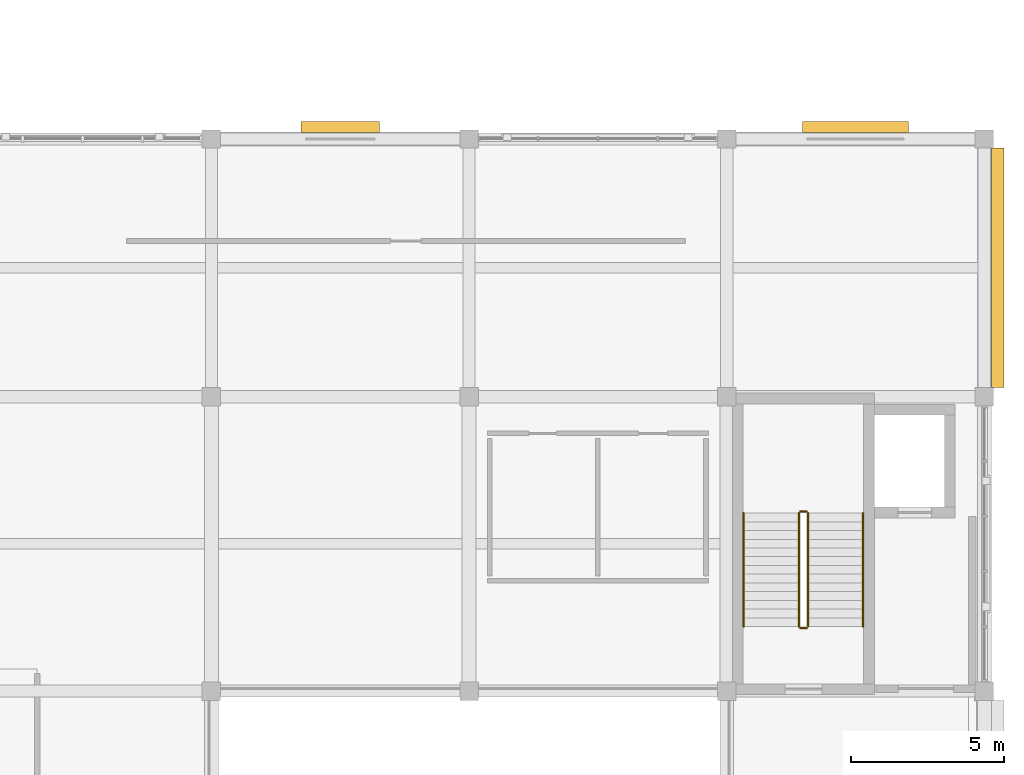
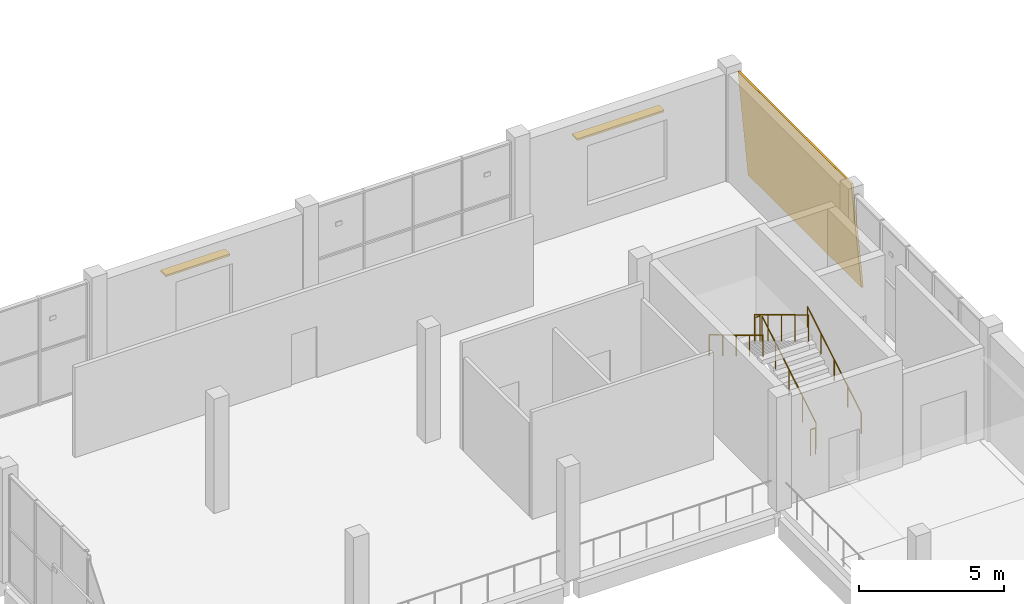
# One storey, part 37 of 37: 6 railings, 2 shading devices, 1 covering.
"""IFC4 building model written with IfcOpenShell, lengths in metres."""

from ifc_helpers import new_model, si_unit, direction, frame, origin, origin_2d, place, context, subcontext, project, spatial, polyline, rectangle, circle, outline, extrude, material, layer, layer_set, type_object, element, save


model = new_model("IFC4")

# Units and contexts
model_context = context("Model", 3, precision=1e-05, world=origin(), true_north=direction((0.0, 1.0)))
body_context = subcontext(model_context, "Body", "Model", "MODEL_VIEW")
ifc_project = project(units=[si_unit("LENGTHUNIT", "METRE"), si_unit("AREAUNIT", "SQUARE_METRE"), si_unit("VOLUMEUNIT", "CUBIC_METRE"), si_unit("PLANEANGLEUNIT", "RADIAN"), si_unit("MASSUNIT", "GRAM", prefix="KILO")], contexts=[model_context])

# Site, building, storey
site_placement = place(None, origin())
site = spatial("IfcSite", under=ifc_project, at=site_placement, CompositionType="ELEMENT")
building_placement = place(site_placement, origin())
building = spatial("IfcBuilding", under=site, at=building_placement, Name="Shalvenor Court Art Gallery", CompositionType="ELEMENT")
storey_placement = place(building_placement, frame((0.0, 0.0, 22.199951171875)))
storey = spatial("IfcBuildingStorey", under=building, at=storey_placement, Name="L04", CompositionType="ELEMENT", Elevation=22.199951171875)

# Covering
ifc_material_1 = material(Name="Pale Mediterranean limestone cladding", Category="masonry")
ifc_layer = layer(ifc_material_1, 0.080078125, Name="Pale Mediterranean limestone cladding")
ifc_layer_set = layer_set([ifc_layer], Name="Pale Mediterranean limestone cladding")
covering_type = type_object("IfcCoveringType", Name="CLD-01", PredefinedType="CLADDING", material=ifc_layer_set)
covering_placement = place(storey_placement, frame((177.03955078125, 89.10009765625, 0.0), z_axis=(0.0, 0.0, 1.0), x_axis=(0.0, 1.0, 0.0)))
element("IfcCovering", 1, at=covering_placement, inside=storey, type_object=covering_type, Name="L04 V1 Tapered Limestone Cladding 21", PredefinedType="CLADDING", context=body_context, shape_type="SweptSolid", body=[
    extrude(outline(polyline([(0.0, 0.0), (7.7998046875, 0.0), (7.7998046875, 4.5185546875), (0.0, 4.5185546875), (0.0, 0.0)])), frame((0.0, 0.0, 0.0), z_axis=(0.0, -0.995884398616, 0.090632580198), x_axis=(1.0, 0.0, 0.0)), (0.0, 0.090632580198, -0.995884398616), 0.080322265625),
])

# Railings
ifc_material_2 = material(Name="Painted steel post-and-rail guard", Category="steel")
railing_type_1 = type_object("IfcRailingType", Name="GR-02", PredefinedType="GUARDRAIL", material=ifc_material_2)
railing_1_placement = place(storey_placement, frame((170.64990234375, 81.300048828125, 0.17138671875)))
element("IfcRailing", 2, at=railing_1_placement, inside=storey, type_object=railing_type_1, Name="L04 ST-01 Stair Guard 1", PredefinedType="GUARDRAIL", context=body_context, shape_type="SweptSolid", body=[
    extrude(circle(Radius=0.02392578125, at=origin_2d()), frame((0.0, 0.0, 1.09619140625), z_axis=(0.0, 0.856894455432, 0.515491893485), x_axis=(-1.0, 0.0, 0.0)), (0.0, 0.0, 1.0), 4.323486328125),
    extrude(circle(Radius=0.02099609375, at=origin_2d()), origin(), (0.0, 0.0, 1.0), 1.072021484375),
    extrude(circle(Radius=0.02099609375, at=origin_2d()), frame((0.0, 0.92626953125, 0.55712890625)), (0.0, 0.0, 1.0), 1.072021484375),
    extrude(circle(Radius=0.02099609375, at=origin_2d()), frame((0.0, 1.8525390625, 1.1142578125)), (0.0, 0.0, 1.0), 1.072021484375),
    extrude(circle(Radius=0.02099609375, at=origin_2d()), frame((0.0, 2.778564453125, 1.671630859375)), (0.0, 0.0, 1.0), 1.072021484375),
    extrude(circle(Radius=0.02099609375, at=origin_2d()), frame((0.0, 3.704833984375, 2.228759765625)), (0.0, 0.0, 1.0), 1.072021484375),
])
railing_2_placement = place(storey_placement, frame((170.60009765625, 85.054931640625, 2.400146484375)))
element("IfcRailing", 3, at=railing_2_placement, inside=storey, type_object=railing_type_1, Name="L04 ST-01 Stair Guard 2", PredefinedType="GUARDRAIL", context=body_context, shape_type="SweptSolid", body=[
    extrude(circle(Radius=0.02392578125, at=origin_2d()), frame((0.0, 0.0, 1.09619140625), z_axis=(-1.0, 0.0, 0.0), x_axis=(0.0, -1.0, 0.0)), (0.0, 0.0, 1.0), 0.2001953125),
    extrude(circle(Radius=0.02099609375, at=origin_2d()), origin(), (0.0, 0.0, 1.0), 1.072021484375),
    extrude(circle(Radius=0.02099609375, at=origin_2d()), frame((-0.2001953125, 0.0, 0.0)), (0.0, 0.0, 1.0), 1.072021484375),
])
railing_3_placement = place(storey_placement, frame((170.35009765625, 85.0048828125, 2.571533203125)))
element("IfcRailing", 4, at=railing_3_placement, inside=storey, type_object=railing_type_1, Name="L04 ST-01 Stair Guard 3", PredefinedType="GUARDRAIL", context=body_context, shape_type="SweptSolid", body=[
    extrude(circle(Radius=0.02392578125, at=origin_2d()), frame((0.0, 0.0, 1.09619140625), z_axis=(0.0, -0.856919398105, 0.515450429384), x_axis=(1.0, 0.0, 0.0)), (0.0, 0.0, 1.0), 4.323486328125),
    extrude(circle(Radius=0.02099609375, at=origin_2d()), origin(), (0.0, 0.0, 1.0), 1.072021484375),
    extrude(circle(Radius=0.02099609375, at=origin_2d()), frame((0.0, -0.92626953125, 0.55712890625)), (0.0, 0.0, 1.0), 1.072021484375),
    extrude(circle(Radius=0.02099609375, at=origin_2d()), frame((0.0, -1.8525390625, 1.1142578125)), (0.0, 0.0, 1.0), 1.072021484375),
    extrude(circle(Radius=0.02099609375, at=origin_2d()), frame((0.0, -2.778564453125, 1.67138671875)), (0.0, 0.0, 1.0), 1.072021484375),
    extrude(circle(Radius=0.02099609375, at=origin_2d()), frame((0.0, -3.704833984375, 2.228515625)), (0.0, 0.0, 1.0), 1.072021484375),
])
railing_4_placement = place(storey_placement, frame((170.60009765625, 81.25, 0.0)))
element("IfcRailing", 5, at=railing_4_placement, inside=storey, type_object=railing_type_1, Name="L04 ST-01 Stair Guard 4", PredefinedType="GUARDRAIL", context=body_context, shape_type="SweptSolid", body=[
    extrude(circle(Radius=0.02392578125, at=origin_2d()), frame((0.0, 0.0, 1.09619140625), z_axis=(-1.0, 0.0, 0.0), x_axis=(0.0, -1.0, 0.0)), (0.0, 0.0, 1.0), 0.2001953125),
    extrude(circle(Radius=0.02099609375, at=origin_2d()), origin(), (0.0, 0.0, 1.0), 1.072021484375),
    extrude(circle(Radius=0.02099609375, at=origin_2d()), frame((-0.2001953125, 0.0, 0.0)), (0.0, 0.0, 1.0), 1.072021484375),
])
ifc_material_3 = material(Name="Brushed stainless steel handrail", Category="steel")
railing_type_2 = type_object("IfcRailingType", Name="HR-01", PredefinedType="HANDRAIL", material=ifc_material_3)
railing_5_placement = place(storey_placement, frame((172.449951171875, 81.300048828125, 0.17138671875)))
element("IfcRailing", 6, at=railing_5_placement, inside=storey, type_object=railing_type_2, Name="L04 ST-01 Stair Handrail 1", PredefinedType="HANDRAIL", context=body_context, shape_type="SweptSolid", body=[
    extrude(circle(Radius=0.02392578125, at=origin_2d()), frame((0.0, 0.0, 0.8759765625), z_axis=(0.0, 0.856894455432, 0.515491893485), x_axis=(-1.0, 0.0, 0.0)), (0.0, 0.0, 1.0), 4.323486328125),
    extrude(circle(Radius=0.02099609375, at=origin_2d()), origin(), (0.0, 0.0, 1.0), 0.851806640625),
    extrude(circle(Radius=0.02099609375, at=origin_2d()), frame((0.0, 0.92626953125, 0.55712890625)), (0.0, 0.0, 1.0), 0.851806640625),
    extrude(circle(Radius=0.02099609375, at=origin_2d()), frame((0.0, 1.8525390625, 1.1142578125)), (0.0, 0.0, 1.0), 0.851806640625),
    extrude(circle(Radius=0.02099609375, at=origin_2d()), frame((0.0, 2.778564453125, 1.671630859375)), (0.0, 0.0, 1.0), 0.851806640625),
    extrude(circle(Radius=0.02099609375, at=origin_2d()), frame((0.0, 3.704833984375, 2.228759765625)), (0.0, 0.0, 1.0), 0.851806640625),
])
railing_6_placement = place(storey_placement, frame((168.550048828125, 85.0048828125, 2.571533203125)))
element("IfcRailing", 7, at=railing_6_placement, inside=storey, type_object=railing_type_2, Name="L04 ST-01 Stair Handrail 2", PredefinedType="HANDRAIL", context=body_context, shape_type="SweptSolid", body=[
    extrude(circle(Radius=0.02392578125, at=origin_2d()), frame((0.0, 0.0, 0.8759765625), z_axis=(0.0, -0.856919398105, 0.515450429384), x_axis=(1.0, 0.0, 0.0)), (0.0, 0.0, 1.0), 4.323486328125),
    extrude(circle(Radius=0.02099609375, at=origin_2d()), origin(), (0.0, 0.0, 1.0), 0.851806640625),
    extrude(circle(Radius=0.02099609375, at=origin_2d()), frame((0.0, -0.92626953125, 0.55712890625)), (0.0, 0.0, 1.0), 0.851806640625),
    extrude(circle(Radius=0.02099609375, at=origin_2d()), frame((0.0, -1.8525390625, 1.1142578125)), (0.0, 0.0, 1.0), 0.851806640625),
    extrude(circle(Radius=0.02099609375, at=origin_2d()), frame((0.0, -2.778564453125, 1.67138671875)), (0.0, 0.0, 1.0), 0.851806640625),
    extrude(circle(Radius=0.02099609375, at=origin_2d()), frame((0.0, -3.704833984375, 2.228515625)), (0.0, 0.0, 1.0), 0.851806640625),
])

# Shading devices
ifc_material_4 = material(Name="Dark anodised bronze aluminium louvre", Category="aluminium")
shading_device_type = type_object("IfcShadingDeviceType", Name="SHD-01", PredefinedType="JALOUSIE", material=ifc_material_4)
shading_device_1_placement = place(storey_placement, frame((155.39990234375, 97.590087890625, 3.39990234375), z_axis=(0.0, 0.0, 1.0), x_axis=(1.0, 0.0, 0.0)))
element("IfcShadingDevice", 8, at=shading_device_1_placement, inside=storey, type_object=shading_device_type, Name="L04 Koushi Window Sunshade 17", PredefinedType="JALOUSIE", context=body_context, shape_type="SweptSolid", body=[
    extrude(rectangle(XDim=2.550048828125, YDim=0.360107421875, at=origin_2d()), origin(), (0.0, 0.0, 1.0), 0.080078125),
])
shading_device_2_placement = place(storey_placement, frame((172.199951171875, 97.590087890625, 3.39990234375), z_axis=(0.0, 0.0, 1.0), x_axis=(1.0, 0.0, 0.0)))
element("IfcShadingDevice", 9, at=shading_device_2_placement, inside=storey, type_object=shading_device_type, Name="L04 Koushi Window Sunshade 18", PredefinedType="JALOUSIE", context=body_context, shape_type="SweptSolid", body=[
    extrude(rectangle(XDim=3.449951171875, YDim=0.360107421875, at=origin_2d()), origin(), (0.0, 0.0, 1.0), 0.080078125),
])

save(model, "model.ifc")
